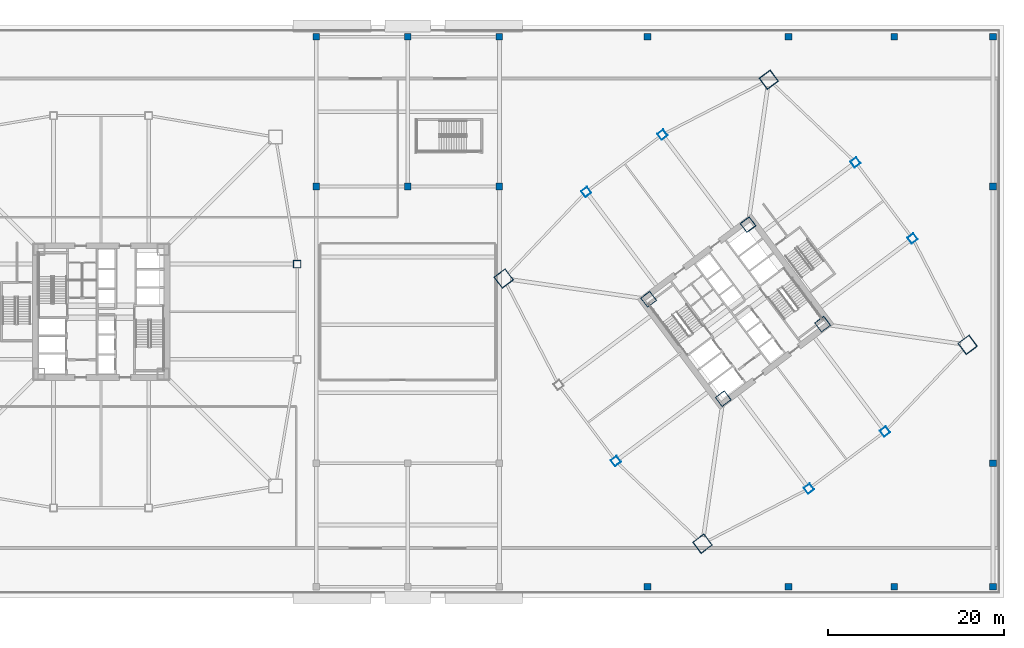
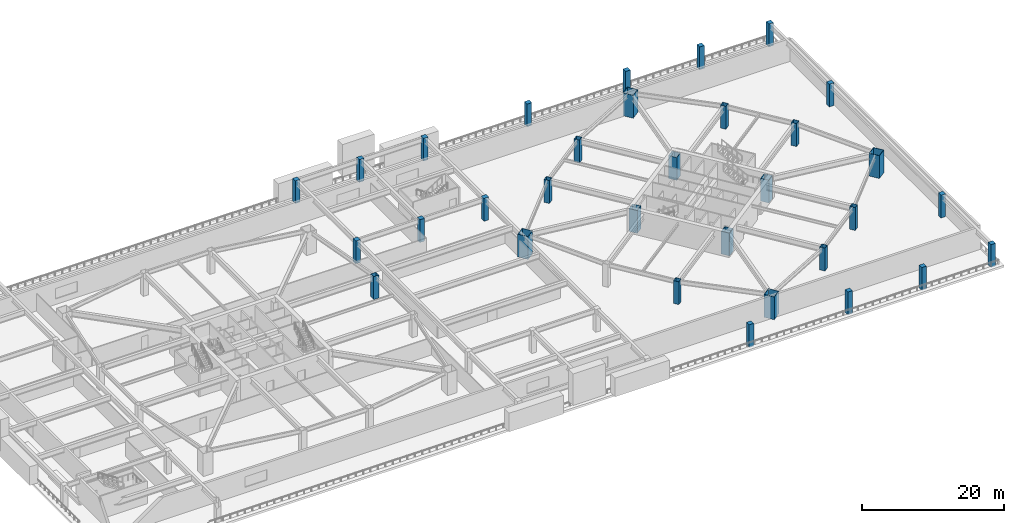
# One storey, part 2 of 20: 32 columns.
"""IFC4 building model written with IfcOpenShell, lengths in metres."""

from ifc_helpers import new_model, si_unit, direction, frame, origin, origin_2d, place, context, subcontext, project, spatial, rectangle, hollow_rectangle, extrude, material, material_profile, profile_set, type_object, element, save


model = new_model("IFC4")

# Units and contexts
model_context = context("Model", 3, precision=1e-05, world=origin(), true_north=direction((0.0, 1.0)))
body_context = subcontext(model_context, "Body", "Model", "MODEL_VIEW")
ifc_project = project(units=[si_unit("LENGTHUNIT", "METRE"), si_unit("AREAUNIT", "SQUARE_METRE"), si_unit("VOLUMEUNIT", "CUBIC_METRE"), si_unit("PLANEANGLEUNIT", "RADIAN"), si_unit("MASSUNIT", "GRAM", prefix="KILO")], contexts=[model_context])

# Site, building, storey
site_placement = place(None, origin())
site = spatial("IfcSite", under=ifc_project, at=site_placement, CompositionType="ELEMENT")
building_placement = place(site_placement, origin())
building = spatial("IfcBuilding", under=site, at=building_placement, Name="Tashvorn Skyway Center", CompositionType="ELEMENT")
storey_placement = place(building_placement, frame((0.0, 0.0, 15.60009765625)))
storey = spatial("IfcBuildingStorey", under=building, at=storey_placement, Name="L03", CompositionType="ELEMENT", Elevation=15.60009765625)

# Columns
ifc_material_1 = material(Name="Steel ASTM A572 Grade 50", Category="steel")
ifc_material_profile_1 = material_profile(ifc_material_1, hollow_rectangle(XDim=1.300048828125, YDim=1.300048828125, WallThickness=0.050048828125, at=origin_2d()), Name="BOX1300x1300x50")
ifc_profile_set_1 = profile_set([ifc_material_profile_1], Name="Steel ASTM A572 Grade 50")
column_type_1 = type_object("IfcColumnType", Name="COL-BOX1300x1300x50", PredefinedType="COLUMN", material=ifc_profile_set_1)
for number, where, z_axis, x_axis, name in (
    (1, (112.590087890625, 22.1298828125, 0.0), (0.0, 0.0, 1.0), (0.799999996291, 0.600000004945, 0.0), "Tower 2 L03 Core Corner Column CC-SW"),
    (2, (123.8701171875, 30.590087890625, 0.0), (0.0, 0.0, 1.0), (0.799999996291, 0.600000004945, 0.0), "Tower 2 L03 Core Corner Column CC-SE"),
    (3, (115.409912109375, 41.8701171875, 0.0), (0.0, 0.0, 1.0), (0.799999996291, 0.600000004945, 0.0), "Tower 2 L03 Core Corner Column CC-NE"),
    (4, (104.1298828125, 33.409912109375, 0.0), (0.0, 0.0, 1.0), (0.799999996291, 0.600000004945, 0.0), "Tower 2 L03 Core Corner Column CC-NW"),
):
    element("IfcColumn", number, at=place(storey_placement, frame(where, z_axis=z_axis, x_axis=x_axis)), inside=storey, type_object=column_type_1, Name=name, PredefinedType="COLUMN", context=body_context, shape_type="SweptSolid", body=[
        extrude(hollow_rectangle(XDim=1.300048828125, YDim=1.300048828125, WallThickness=0.050048828125, at=origin_2d()), origin(), (0.0, 0.0, 1.0), 3.89990234375),
    ])
ifc_material_profile_2 = material_profile(ifc_material_1, hollow_rectangle(XDim=1.60009765625, YDim=1.60009765625, WallThickness=0.06005859375, at=origin_2d()), Name="BOX1600x1600x60")
ifc_profile_set_2 = profile_set([ifc_material_profile_2], Name="Steel ASTM A572 Grade 50")
column_type_2 = type_object("IfcColumnType", Name="COL-BOX1600x1600x60", PredefinedType="COLUMN", material=ifc_profile_set_2)
for number, where, z_axis, x_axis, name in (
    (5, (110.239990234375, 5.679931640625, 0.0), (0.0, 0.0, 1.0), (0.799999996291, 0.600000004945, 0.0), "Tower 2 L03 Mega-Column MC-SW"),
    (6, (140.320068359375, 28.239990234375, 0.0), (0.0, 0.0, 1.0), (0.799999996291, 0.600000004945, 0.0), "Tower 2 L03 Mega-Column MC-SE"),
    (7, (117.760009765625, 58.320068359375, 0.0), (0.0, 0.0, 1.0), (0.799999996291, 0.600000004945, 0.0), "Tower 2 L03 Mega-Column MC-NE"),
    (8, (87.679931640625, 35.760009765625, 0.0), (0.0, 0.0, 1.0), (0.799999996291, 0.600000004945, 0.0), "Tower 2 L03 Mega-Column MC-NW"),
):
    element("IfcColumn", number, at=place(storey_placement, frame(where, z_axis=z_axis, x_axis=x_axis)), inside=storey, type_object=column_type_2, Name=name, PredefinedType="COLUMN", context=body_context, shape_type="SweptSolid", body=[
        extrude(hollow_rectangle(XDim=1.60009765625, YDim=1.60009765625, WallThickness=0.06005859375, at=origin_2d()), origin(), (0.0, 0.0, 1.0), 3.89990234375),
    ])
ifc_material_profile_3 = material_profile(ifc_material_1, hollow_rectangle(XDim=0.85009765625, YDim=0.85009765625, WallThickness=0.034912109375, at=origin_2d()), Name="BOX850x850x35")
ifc_profile_set_3 = profile_set([ifc_material_profile_3], Name="Steel ASTM A572 Grade 50")
column_type_3 = type_object("IfcColumnType", Name="COL-BOX850x850x35", PredefinedType="COLUMN", material=ifc_profile_set_3)
for number, where, z_axis, x_axis, name in (
    (9, (64.25, 37.39990234375, 0.0), (0.0, 0.0, 1.0), (1.0, 0.0, 0.0), "Tower 1 L03 Perimeter Column FC-E2"),
    (10, (122.31005859375, 11.919921875, 0.0), (0.0, 0.0, 1.0), (0.799999996291, 0.600000004945, 0.0), "Tower 2 L03 Perimeter Column FC-S1"),
    (11, (130.949951171875, 18.39990234375, 0.0), (0.0, 0.0, 1.0), (0.799999996291, 0.600000004945, 0.0), "Tower 2 L03 Perimeter Column FC-S2"),
    (12, (134.080078125, 40.31005859375, 0.0), (0.0, 0.0, 1.0), (0.799999996291, 0.600000004945, 0.0), "Tower 2 L03 Perimeter Column FC-E1"),
    (13, (127.60009765625, 48.949951171875, 0.0), (0.0, 0.0, 1.0), (0.799999996291, 0.600000004945, 0.0), "Tower 2 L03 Perimeter Column FC-E2"),
    (14, (105.68994140625, 52.080078125, 0.0), (0.0, 0.0, 1.0), (0.799999996291, 0.600000004945, 0.0), "Tower 2 L03 Perimeter Column FC-N1"),
    (15, (97.050048828125, 45.60009765625, 0.0), (0.0, 0.0, 1.0), (0.799999996291, 0.600000004945, 0.0), "Tower 2 L03 Perimeter Column FC-N2"),
    (16, (100.39990234375, 15.050048828125, 0.0), (0.0, 0.0, 1.0), (0.799999996291, 0.600000004945, 0.0), "Tower 2 L03 Perimeter Column FC-W2"),
):
    element("IfcColumn", number, at=place(storey_placement, frame(where, z_axis=z_axis, x_axis=x_axis)), inside=storey, type_object=column_type_3, Name=name, PredefinedType="COLUMN", context=body_context, shape_type="SweptSolid", body=[
        extrude(hollow_rectangle(XDim=0.85009765625, YDim=0.85009765625, WallThickness=0.034912109375, at=origin_2d()), origin(), (0.0, 0.0, 1.0), 3.89990234375),
    ])
ifc_material_2 = material(Name="Concrete C50/60", Category="concrete")
ifc_material_profile_4 = material_profile(ifc_material_2, rectangle(XDim=0.75, YDim=0.75, at=origin_2d()), Name="RC750x750")
ifc_profile_set_4 = profile_set([ifc_material_profile_4], Name="Concrete C50/60")
column_type_4 = type_object("IfcColumnType", Name="COL-RC750x750", PredefinedType="COLUMN", material=ifc_profile_set_4)
for number, where, z_axis, x_axis, name in (
    (17, (66.39990234375, 63.199951171875, 0.0), (0.0, 0.0, 1.0), (1.0, 0.0, 0.0), "L03 Podium Column PC-04-2"),
    (18, (76.800048828125, 63.199951171875, 0.0), (0.0, 0.0, 1.0), (1.0, 0.0, 0.0), "L03 Podium Column PC-05-2"),
    (19, (87.199951171875, 63.199951171875, 0.0), (0.0, 0.0, 1.0), (1.0, 0.0, 0.0), "L03 Podium Column PC-06-2"),
    (20, (104.0, 0.800048828125, 0.0), (0.0, 0.0, 1.0), (1.0, 0.0, 0.0), "L03 Podium Column PC-07-1"),
    (21, (104.0, 63.199951171875, 0.0), (0.0, 0.0, 1.0), (1.0, 0.0, 0.0), "L03 Podium Column PC-07-2"),
    (22, (120.0, 0.800048828125, 0.0), (0.0, 0.0, 1.0), (1.0, 0.0, 0.0), "L03 Podium Column PC-08-1"),
    (23, (120.0, 63.199951171875, 0.0), (0.0, 0.0, 1.0), (1.0, 0.0, 0.0), "L03 Podium Column PC-08-2"),
    (24, (132.0, 0.800048828125, 0.0), (0.0, 0.0, 1.0), (1.0, 0.0, 0.0), "L03 Podium Column PC-09-1"),
    (25, (132.0, 63.199951171875, 0.0), (0.0, 0.0, 1.0), (1.0, 0.0, 0.0), "L03 Podium Column PC-09-2"),
    (26, (143.199951171875, 0.800048828125, 0.0), (0.0, 0.0, 1.0), (1.0, 0.0, 0.0), "L03 Podium Column PC-10-1"),
    (27, (143.199951171875, 63.199951171875, 0.0), (0.0, 0.0, 1.0), (1.0, 0.0, 0.0), "L03 Podium Column PC-10-2"),
    (28, (66.39990234375, 46.199951171875, 0.0), (0.0, 0.0, 1.0), (1.0, 0.0, 0.0), "L03 Podium Column PIC-03-2"),
    (29, (76.800048828125, 46.199951171875, 0.0), (0.0, 0.0, 1.0), (1.0, 0.0, 0.0), "L03 Podium Column PIC-04-2"),
    (30, (87.199951171875, 46.199951171875, 0.0), (0.0, 0.0, 1.0), (1.0, 0.0, 0.0), "L03 Podium Column PIC-05-2"),
    (31, (143.199951171875, 14.800048828125, 0.0), (0.0, 0.0, 1.0), (1.0, 0.0, 0.0), "L03 Podium Column PIC-06-1"),
    (32, (143.199951171875, 46.199951171875, 0.0), (0.0, 0.0, 1.0), (1.0, 0.0, 0.0), "L03 Podium Column PIC-06-2"),
):
    element("IfcColumn", number, at=place(storey_placement, frame(where, z_axis=z_axis, x_axis=x_axis)), inside=storey, type_object=column_type_4, Name=name, PredefinedType="COLUMN", context=body_context, shape_type="SweptSolid", body=[
        extrude(rectangle(XDim=0.75, YDim=0.75, at=origin_2d()), origin(), (0.0, 0.0, 1.0), 3.89990234375),
    ])

save(model, "model.ifc")
